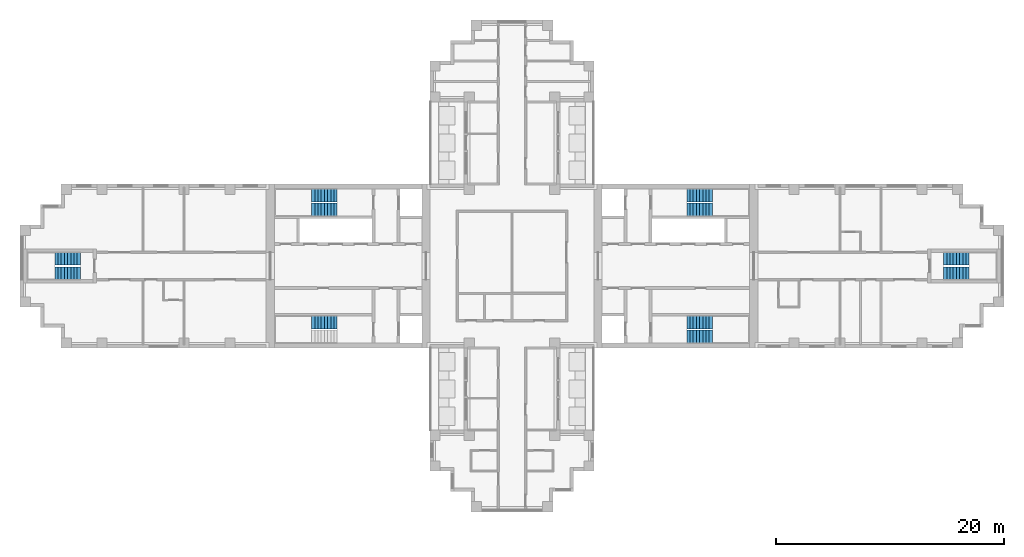
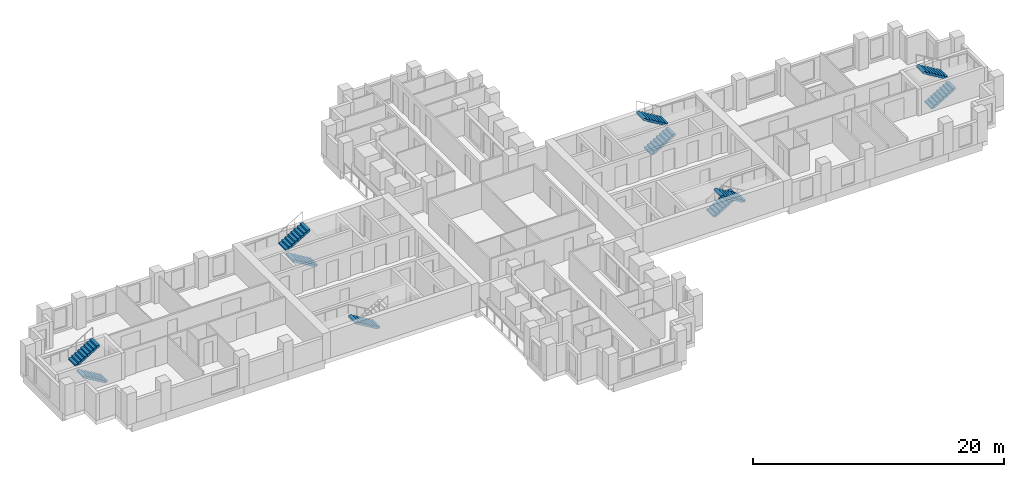
# One storey, part 10 of 12: 11 stair flights, 6 elements without a shape of their own.
"""IFC4 building model written with IfcOpenShell, lengths in metres."""

from ifc_helpers import new_model, si_unit, direction, frame, origin, place, context, subcontext, project, spatial, polyline, outline, extrude, material, type_object, element, aggregate, save


model = new_model("IFC4")

# Units and contexts
model_context = context("Model", 3, precision=1e-05, world=origin(), true_north=direction((0.0, 1.0)))
body_context = subcontext(model_context, "Body", "Model", "MODEL_VIEW")
ifc_project = project(units=[si_unit("LENGTHUNIT", "METRE"), si_unit("AREAUNIT", "SQUARE_METRE"), si_unit("VOLUMEUNIT", "CUBIC_METRE"), si_unit("PLANEANGLEUNIT", "RADIAN"), si_unit("MASSUNIT", "GRAM", prefix="KILO")], contexts=[model_context])

# Site, building, storey
site_placement = place(None, origin())
site = spatial("IfcSite", under=ifc_project, at=site_placement, CompositionType="ELEMENT")
building_placement = place(site_placement, origin())
building = spatial("IfcBuilding", under=site, at=building_placement, Name="Fustian Cross Tower", CompositionType="ELEMENT")
storey_placement = place(building_placement, frame((0.0, 0.0, 156.300048828125)))
storey = spatial("IfcBuildingStorey", under=building, at=storey_placement, Name="L49", CompositionType="ELEMENT", Elevation=156.300048828125)

# Stair, stair flights
ifc_material_1 = material(Name="Concrete C50/60", Category="concrete")
stair_type_1 = type_object("IfcStairType", Name="STAIR 1100 HALF TURN", PredefinedType="HALF_TURN_STAIR", material=ifc_material_1)
stair_1_placement = place(storey_placement, origin())
stair_1 = element("IfcStair", 1, at=stair_1_placement, inside=storey, type_object=stair_type_1, Name="Stair ST8", PredefinedType="HALF_TURN_STAIR")
ifc_material_2 = material(Name="Concrete C50/60", Category="concrete")
stair_flight_type_1 = type_object("IfcStairFlightType", Name="STAIR FLIGHT 1100", PredefinedType="STRAIGHT", material=ifc_material_2)
stair_flight_1_placement = place(storey_placement, frame((37.89990234375, -0.64990234375, 0.0), z_axis=(0.0, 0.0, 1.0), x_axis=(1.0, 0.0, 0.0)))
stair_flight_1 = element("IfcStairFlight", 2, at=stair_flight_1_placement, type_object=stair_flight_type_1, Name="ST8 flight 1", NumberOfRisers=9, NumberOfTreads=8, PredefinedType="STRAIGHT", RiserHeight=0.166666667, TreadLength=0.28, context=body_context, shape_type="SweptSolid", body=[
    extrude(outline(polyline([(0.0, 0.0), (0.0, 0.166748046875), (0.280029296875, 0.166748046875), (0.280029296875, 0.333251953125), (0.56005859375, 0.333251953125), (0.56005859375, 0.5), (0.840087890625, 0.5), (0.840087890625, 0.666748046875), (1.1201171875, 0.666748046875), (1.1201171875, 0.833251953125), (1.39990234375, 0.833251953125), (1.39990234375, 1.0), (1.679931640625, 1.0), (1.679931640625, 1.166748046875), (1.9599609375, 1.166748046875), (1.9599609375, 1.333251953125), (2.239990234375, 1.333251953125), (2.239990234375, 1.5), (2.239990234375, 1.158935546875), (0.29296875, 0.0), (0.0, 0.0)])), frame((0.0, 0.550048828125, 0.0), z_axis=(0.0, -1.0, 0.0), x_axis=(1.0, 0.0, 0.0)), (0.0, 0.0, 1.0), 1.10009765625),
])
stair_flight_2_placement = place(storey_placement, frame((40.139892578125, 0.64990234375, 1.5), z_axis=(0.0, 0.0, 1.0), x_axis=(-1.0, 0.0, 0.0)))
stair_flight_2 = element("IfcStairFlight", 3, at=stair_flight_2_placement, type_object=stair_flight_type_1, Name="ST8 flight 2", NumberOfRisers=9, NumberOfTreads=8, PredefinedType="STRAIGHT", RiserHeight=0.166666667, TreadLength=0.28, context=body_context, shape_type="SweptSolid", body=[
    extrude(outline(polyline([(0.0, 0.0), (0.0, 0.166748046875), (0.280029296875, 0.166748046875), (0.280029296875, 0.333251953125), (0.56005859375, 0.333251953125), (0.56005859375, 0.5), (0.840087890625, 0.5), (0.840087890625, 0.666748046875), (1.1201171875, 0.666748046875), (1.1201171875, 0.833251953125), (1.39990234375, 0.833251953125), (1.39990234375, 1.0), (1.679931640625, 1.0), (1.679931640625, 1.166748046875), (1.9599609375, 1.166748046875), (1.9599609375, 1.333251953125), (2.239990234375, 1.333251953125), (2.239990234375, 1.5), (2.239990234375, 1.158935546875), (0.29296875, 0.0), (0.0, 0.0)])), frame((0.0, 0.550048828125, 0.0), z_axis=(0.0, -1.0, 0.0), x_axis=(1.0, 0.0, 0.0)), (0.0, 0.0, 1.0), 1.10009765625),
])
aggregate(stair_1, [stair_flight_1, stair_flight_2])

stair_2_placement = place(storey_placement, origin())
stair_2 = element("IfcStair", 4, at=stair_2_placement, inside=storey, type_object=stair_type_1, Name="Stair ST9", PredefinedType="HALF_TURN_STAIR")
stair_flight_3_placement = place(storey_placement, frame((-37.89990234375, -0.64990234375, 0.0), z_axis=(0.0, 0.0, 1.0), x_axis=(-1.0, 0.0, 0.0)))
stair_flight_3 = element("IfcStairFlight", 5, at=stair_flight_3_placement, type_object=stair_flight_type_1, Name="ST9 flight 1", NumberOfRisers=9, NumberOfTreads=8, PredefinedType="STRAIGHT", RiserHeight=0.166666667, TreadLength=0.28, context=body_context, shape_type="SweptSolid", body=[
    extrude(outline(polyline([(0.0, 0.0), (0.0, 0.166748046875), (0.280029296875, 0.166748046875), (0.280029296875, 0.333251953125), (0.56005859375, 0.333251953125), (0.56005859375, 0.5), (0.840087890625, 0.5), (0.840087890625, 0.666748046875), (1.1201171875, 0.666748046875), (1.1201171875, 0.833251953125), (1.39990234375, 0.833251953125), (1.39990234375, 1.0), (1.679931640625, 1.0), (1.679931640625, 1.166748046875), (1.9599609375, 1.166748046875), (1.9599609375, 1.333251953125), (2.239990234375, 1.333251953125), (2.239990234375, 1.5), (2.239990234375, 1.158935546875), (0.29296875, 0.0), (0.0, 0.0)])), frame((0.0, 0.550048828125, 0.0), z_axis=(0.0, -1.0, 0.0), x_axis=(1.0, 0.0, 0.0)), (0.0, 0.0, 1.0), 1.10009765625),
])
stair_flight_4_placement = place(storey_placement, frame((-40.139892578125, 0.64990234375, 1.5), z_axis=(0.0, 0.0, 1.0), x_axis=(1.0, 0.0, 0.0)))
stair_flight_4 = element("IfcStairFlight", 6, at=stair_flight_4_placement, type_object=stair_flight_type_1, Name="ST9 flight 2", NumberOfRisers=9, NumberOfTreads=8, PredefinedType="STRAIGHT", RiserHeight=0.166666667, TreadLength=0.28, context=body_context, shape_type="SweptSolid", body=[
    extrude(outline(polyline([(0.0, 0.0), (0.0, 0.166748046875), (0.280029296875, 0.166748046875), (0.280029296875, 0.333251953125), (0.56005859375, 0.333251953125), (0.56005859375, 0.5), (0.840087890625, 0.5), (0.840087890625, 0.666748046875), (1.1201171875, 0.666748046875), (1.1201171875, 0.833251953125), (1.39990234375, 0.833251953125), (1.39990234375, 1.0), (1.679931640625, 1.0), (1.679931640625, 1.166748046875), (1.9599609375, 1.166748046875), (1.9599609375, 1.333251953125), (2.239990234375, 1.333251953125), (2.239990234375, 1.5), (2.239990234375, 1.158935546875), (0.29296875, 0.0), (0.0, 0.0)])), frame((0.0, 0.550048828125, 0.0), z_axis=(0.0, -1.0, 0.0), x_axis=(1.0, 0.0, 0.0)), (0.0, 0.0, 1.0), 1.10009765625),
])
aggregate(stair_2, [stair_flight_3, stair_flight_4])

ifc_material_3 = material(Name="Concrete C50/60", Category="concrete")
stair_type_2 = type_object("IfcStairType", Name="STAIR 1150 HALF TURN", PredefinedType="HALF_TURN_STAIR", material=ifc_material_3)
stair_3_placement = place(storey_placement, origin())
stair_3 = element("IfcStair", 7, at=stair_3_placement, inside=storey, type_object=stair_type_2, Name="Stair ST1", PredefinedType="HALF_TURN_STAIR")
ifc_material_4 = material(Name="Concrete C50/60", Category="concrete")
stair_flight_type_2 = type_object("IfcStairFlightType", Name="STAIR FLIGHT 1150", PredefinedType="STRAIGHT", material=ifc_material_4)
stair_flight_5_placement = place(storey_placement, frame((15.35009765625, 4.97509765625, 0.0), z_axis=(0.0, 0.0, 1.0), x_axis=(1.0, 0.0, 0.0)))
stair_flight_5 = element("IfcStairFlight", 8, at=stair_flight_5_placement, type_object=stair_flight_type_2, Name="ST1 flight 1", NumberOfRisers=9, NumberOfTreads=8, PredefinedType="STRAIGHT", RiserHeight=0.166666667, TreadLength=0.28, context=body_context, shape_type="SweptSolid", body=[
    extrude(outline(polyline([(0.0, 0.0), (0.0, 0.166748046875), (0.280029296875, 0.166748046875), (0.280029296875, 0.333251953125), (0.56005859375, 0.333251953125), (0.56005859375, 0.5), (0.840087890625, 0.5), (0.840087890625, 0.666748046875), (1.1201171875, 0.666748046875), (1.1201171875, 0.833251953125), (1.39990234375, 0.833251953125), (1.39990234375, 1.0), (1.679931640625, 1.0), (1.679931640625, 1.166748046875), (1.9599609375, 1.166748046875), (1.9599609375, 1.333251953125), (2.239990234375, 1.333251953125), (2.239990234375, 1.5), (2.239990234375, 1.158935546875), (0.29296875, 0.0), (0.0, 0.0)])), frame((0.0, 0.574951171875, 0.0), z_axis=(0.0, -1.0, 0.0), x_axis=(1.0, 0.0, 0.0)), (0.0, 0.0, 1.0), 1.14990234375),
])
stair_flight_6_placement = place(storey_placement, frame((17.590087890625, 6.175048828125, 1.5), z_axis=(0.0, 0.0, 1.0), x_axis=(-1.0, 0.0, 0.0)))
stair_flight_6 = element("IfcStairFlight", 9, at=stair_flight_6_placement, type_object=stair_flight_type_2, Name="ST1 flight 2", NumberOfRisers=9, NumberOfTreads=8, PredefinedType="STRAIGHT", RiserHeight=0.166666667, TreadLength=0.28, context=body_context, shape_type="SweptSolid", body=[
    extrude(outline(polyline([(0.0, 0.0), (0.0, 0.166748046875), (0.280029296875, 0.166748046875), (0.280029296875, 0.333251953125), (0.56005859375, 0.333251953125), (0.56005859375, 0.5), (0.840087890625, 0.5), (0.840087890625, 0.666748046875), (1.1201171875, 0.666748046875), (1.1201171875, 0.833251953125), (1.39990234375, 0.833251953125), (1.39990234375, 1.0), (1.679931640625, 1.0), (1.679931640625, 1.166748046875), (1.9599609375, 1.166748046875), (1.9599609375, 1.333251953125), (2.239990234375, 1.333251953125), (2.239990234375, 1.5), (2.239990234375, 1.158935546875), (0.29296875, 0.0), (0.0, 0.0)])), frame((0.0, 0.574951171875, 0.0), z_axis=(0.0, -1.0, 0.0), x_axis=(1.0, 0.0, 0.0)), (0.0, 0.0, 1.0), 1.14990234375),
])
aggregate(stair_3, [stair_flight_5, stair_flight_6])

stair_4_placement = place(storey_placement, origin())
stair_4 = element("IfcStair", 10, at=stair_4_placement, inside=storey, type_object=stair_type_2, Name="Stair ST2", PredefinedType="HALF_TURN_STAIR")
stair_flight_7_placement = place(storey_placement, frame((15.35009765625, -4.97509765625, 0.0), z_axis=(0.0, 0.0, 1.0), x_axis=(1.0, 0.0, 0.0)))
stair_flight_7 = element("IfcStairFlight", 11, at=stair_flight_7_placement, type_object=stair_flight_type_2, Name="ST2 flight 1", NumberOfRisers=9, NumberOfTreads=8, PredefinedType="STRAIGHT", RiserHeight=0.166666667, TreadLength=0.28, context=body_context, shape_type="SweptSolid", body=[
    extrude(outline(polyline([(0.0, 0.0), (0.0, 0.166748046875), (0.280029296875, 0.166748046875), (0.280029296875, 0.333251953125), (0.56005859375, 0.333251953125), (0.56005859375, 0.5), (0.840087890625, 0.5), (0.840087890625, 0.666748046875), (1.1201171875, 0.666748046875), (1.1201171875, 0.833251953125), (1.39990234375, 0.833251953125), (1.39990234375, 1.0), (1.679931640625, 1.0), (1.679931640625, 1.166748046875), (1.9599609375, 1.166748046875), (1.9599609375, 1.333251953125), (2.239990234375, 1.333251953125), (2.239990234375, 1.5), (2.239990234375, 1.158935546875), (0.29296875, 0.0), (0.0, 0.0)])), frame((0.0, 0.574951171875, 0.0), z_axis=(0.0, -1.0, 0.0), x_axis=(1.0, 0.0, 0.0)), (0.0, 0.0, 1.0), 1.14990234375),
])
stair_flight_8_placement = place(storey_placement, frame((17.590087890625, -6.175048828125, 1.5), z_axis=(0.0, 0.0, 1.0), x_axis=(-1.0, 0.0, 0.0)))
stair_flight_8 = element("IfcStairFlight", 12, at=stair_flight_8_placement, type_object=stair_flight_type_2, Name="ST2 flight 2", NumberOfRisers=9, NumberOfTreads=8, PredefinedType="STRAIGHT", RiserHeight=0.166666667, TreadLength=0.28, context=body_context, shape_type="SweptSolid", body=[
    extrude(outline(polyline([(0.0, 0.0), (0.0, 0.166748046875), (0.280029296875, 0.166748046875), (0.280029296875, 0.333251953125), (0.56005859375, 0.333251953125), (0.56005859375, 0.5), (0.840087890625, 0.5), (0.840087890625, 0.666748046875), (1.1201171875, 0.666748046875), (1.1201171875, 0.833251953125), (1.39990234375, 0.833251953125), (1.39990234375, 1.0), (1.679931640625, 1.0), (1.679931640625, 1.166748046875), (1.9599609375, 1.166748046875), (1.9599609375, 1.333251953125), (2.239990234375, 1.333251953125), (2.239990234375, 1.5), (2.239990234375, 1.158935546875), (0.29296875, 0.0), (0.0, 0.0)])), frame((0.0, 0.574951171875, 0.0), z_axis=(0.0, -1.0, 0.0), x_axis=(1.0, 0.0, 0.0)), (0.0, 0.0, 1.0), 1.14990234375),
])
aggregate(stair_4, [stair_flight_7, stair_flight_8])

stair_5_placement = place(storey_placement, origin())
stair_5 = element("IfcStair", 13, at=stair_5_placement, inside=storey, type_object=stair_type_2, Name="Stair ST3", PredefinedType="HALF_TURN_STAIR")
stair_flight_9_placement = place(storey_placement, frame((-15.35009765625, 4.97509765625, 0.0), z_axis=(0.0, 0.0, 1.0), x_axis=(-1.0, 0.0, 0.0)))
stair_flight_9 = element("IfcStairFlight", 14, at=stair_flight_9_placement, type_object=stair_flight_type_2, Name="ST3 flight 1", NumberOfRisers=9, NumberOfTreads=8, PredefinedType="STRAIGHT", RiserHeight=0.166666667, TreadLength=0.28, context=body_context, shape_type="SweptSolid", body=[
    extrude(outline(polyline([(0.0, 0.0), (0.0, 0.166748046875), (0.280029296875, 0.166748046875), (0.280029296875, 0.333251953125), (0.56005859375, 0.333251953125), (0.56005859375, 0.5), (0.840087890625, 0.5), (0.840087890625, 0.666748046875), (1.1201171875, 0.666748046875), (1.1201171875, 0.833251953125), (1.39990234375, 0.833251953125), (1.39990234375, 1.0), (1.679931640625, 1.0), (1.679931640625, 1.166748046875), (1.9599609375, 1.166748046875), (1.9599609375, 1.333251953125), (2.239990234375, 1.333251953125), (2.239990234375, 1.5), (2.239990234375, 1.158935546875), (0.29296875, 0.0), (0.0, 0.0)])), frame((0.0, 0.574951171875, 0.0), z_axis=(0.0, -1.0, 0.0), x_axis=(1.0, 0.0, 0.0)), (0.0, 0.0, 1.0), 1.14990234375),
])
stair_flight_10_placement = place(storey_placement, frame((-17.590087890625, 6.175048828125, 1.5), z_axis=(0.0, 0.0, 1.0), x_axis=(1.0, 0.0, 0.0)))
stair_flight_10 = element("IfcStairFlight", 15, at=stair_flight_10_placement, type_object=stair_flight_type_2, Name="ST3 flight 2", NumberOfRisers=9, NumberOfTreads=8, PredefinedType="STRAIGHT", RiserHeight=0.166666667, TreadLength=0.28, context=body_context, shape_type="SweptSolid", body=[
    extrude(outline(polyline([(0.0, 0.0), (0.0, 0.166748046875), (0.280029296875, 0.166748046875), (0.280029296875, 0.333251953125), (0.56005859375, 0.333251953125), (0.56005859375, 0.5), (0.840087890625, 0.5), (0.840087890625, 0.666748046875), (1.1201171875, 0.666748046875), (1.1201171875, 0.833251953125), (1.39990234375, 0.833251953125), (1.39990234375, 1.0), (1.679931640625, 1.0), (1.679931640625, 1.166748046875), (1.9599609375, 1.166748046875), (1.9599609375, 1.333251953125), (2.239990234375, 1.333251953125), (2.239990234375, 1.5), (2.239990234375, 1.158935546875), (0.29296875, 0.0), (0.0, 0.0)])), frame((0.0, 0.574951171875, 0.0), z_axis=(0.0, -1.0, 0.0), x_axis=(1.0, 0.0, 0.0)), (0.0, 0.0, 1.0), 1.14990234375),
])
aggregate(stair_5, [stair_flight_9, stair_flight_10])

# Stair, stair flight
stair_6_placement = place(storey_placement, origin())
stair_6 = element("IfcStair", 16, at=stair_6_placement, inside=storey, type_object=stair_type_2, Name="Stair ST4", PredefinedType="HALF_TURN_STAIR")
stair_flight_11_placement = place(storey_placement, frame((-15.35009765625, -4.97509765625, 0.0), z_axis=(0.0, 0.0, 1.0), x_axis=(-1.0, 0.0, 0.0)))
stair_flight_11 = element("IfcStairFlight", 17, at=stair_flight_11_placement, type_object=stair_flight_type_2, Name="ST4 flight 1", NumberOfRisers=9, NumberOfTreads=8, PredefinedType="STRAIGHT", RiserHeight=0.166666667, TreadLength=0.28, context=body_context, shape_type="SweptSolid", body=[
    extrude(outline(polyline([(0.0, 0.0), (0.0, 0.166748046875), (0.280029296875, 0.166748046875), (0.280029296875, 0.333251953125), (0.56005859375, 0.333251953125), (0.56005859375, 0.5), (0.840087890625, 0.5), (0.840087890625, 0.666748046875), (1.1201171875, 0.666748046875), (1.1201171875, 0.833251953125), (1.39990234375, 0.833251953125), (1.39990234375, 1.0), (1.679931640625, 1.0), (1.679931640625, 1.166748046875), (1.9599609375, 1.166748046875), (1.9599609375, 1.333251953125), (2.239990234375, 1.333251953125), (2.239990234375, 1.5), (2.239990234375, 1.158935546875), (0.29296875, 0.0), (0.0, 0.0)])), frame((0.0, 0.574951171875, 0.0), z_axis=(0.0, -1.0, 0.0), x_axis=(1.0, 0.0, 0.0)), (0.0, 0.0, 1.0), 1.14990234375),
])
aggregate(stair_6, [stair_flight_11])

save(model, "model.ifc")
